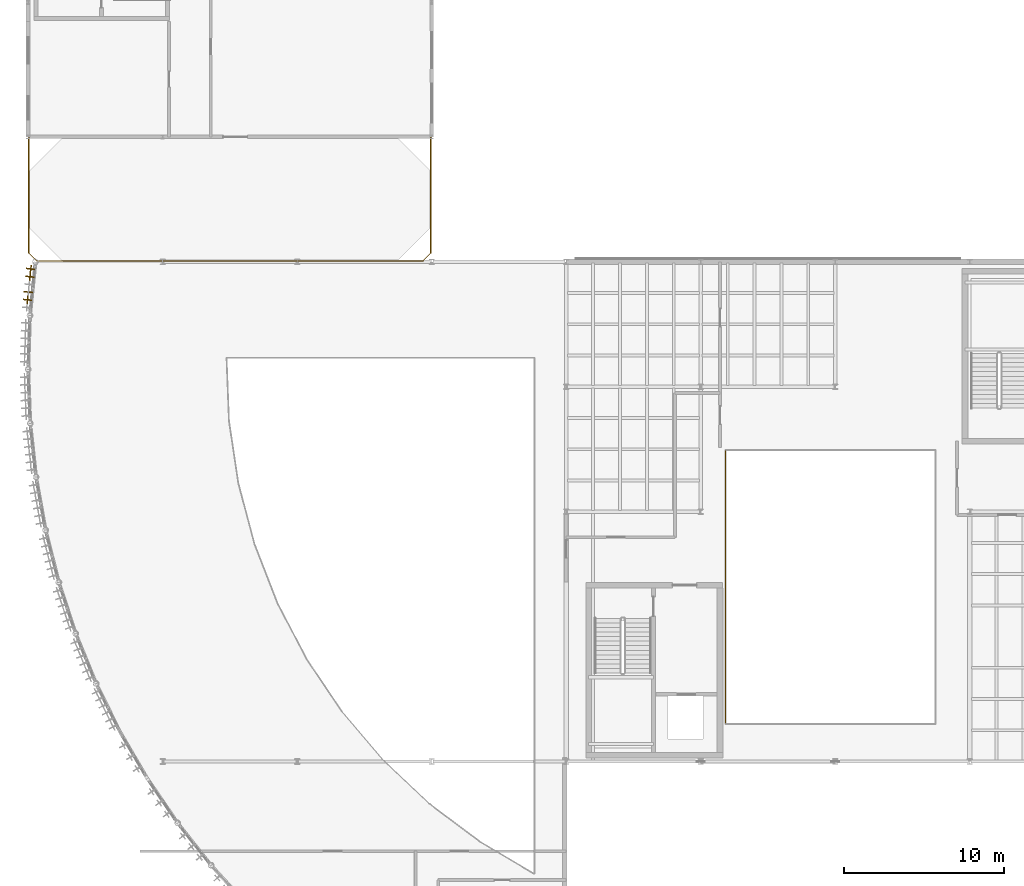
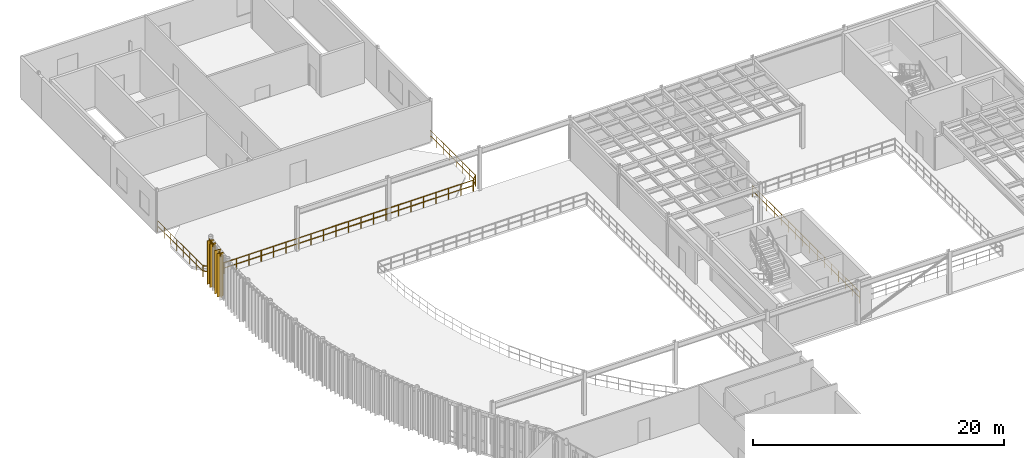
# One storey, part 30 of 32: 6 railings, 4 coverings, 3 shading devices.
"""IFC4 building model written with IfcOpenShell, lengths in metres."""

from ifc_helpers import new_model, si_unit, direction, frame, origin, origin_2d, place, context, subcontext, project, spatial, polyline, rectangle, circle, outline, extrude, material, layer, layer_set, material_profile, profile_set, type_object, element, save


model = new_model("IFC4")

# Units and contexts
model_context = context("Model", 3, precision=1e-05, world=origin(), true_north=direction((0.0, 1.0)))
body_context = subcontext(model_context, "Body", "Model", "MODEL_VIEW")
ifc_project = project(units=[si_unit("LENGTHUNIT", "METRE"), si_unit("AREAUNIT", "SQUARE_METRE"), si_unit("VOLUMEUNIT", "CUBIC_METRE"), si_unit("PLANEANGLEUNIT", "RADIAN"), si_unit("MASSUNIT", "GRAM", prefix="KILO")], contexts=[model_context])

# Site, building, storey
site_placement = place(None, origin())
site = spatial("IfcSite", under=ifc_project, at=site_placement, CompositionType="ELEMENT")
building_placement = place(site_placement, origin())
building = spatial("IfcBuilding", under=site, at=building_placement, Name="Selat Folded Stagehouse", CompositionType="ELEMENT")
storey_placement = place(building_placement, frame((0.0, 0.0, 19.199951171875)))
storey = spatial("IfcBuildingStorey", under=building, at=storey_placement, Name="L04", CompositionType="ELEMENT", Elevation=19.199951171875)

# Coverings
ifc_material_1 = material(Name="Bronze-anodised aluminium 6063-T6", Category="aluminium")
ifc_layer_1 = layer(ifc_material_1, 0.06005859375)
ifc_layer_set_1 = layer_set([ifc_layer_1], Name="Bronze-anodised aluminium 6063-T6")
covering_type = type_object("IfcCoveringType", Name="COV-FIN-BRZ42", PredefinedType="CLADDING", material=ifc_layer_set_1)
covering_1_placement = place(storey_placement, frame((0.0, 0.0, -0.099853515625)))
element("IfcCovering", 1, at=covering_1_placement, inside=storey, type_object=covering_type, Name="L04 drum bronze fin cladding sheath 004", PredefinedType="CLADDING", context=body_context, shape_type="SweptSolid", body=[
    extrude(outline(polyline([(0.430419921875, 54.150390625), (-0.105224609375, 54.21923828125), (-0.11328125, 54.156005859375), (0.42236328125, 54.0869140625), (0.430419921875, 54.150390625)])), origin(), (0.0, 0.0, 1.0), 4.219970703125),
])
covering_2_placement = place(storey_placement, frame((0.0, 0.0, -0.099853515625)))
element("IfcCovering", 2, at=covering_2_placement, inside=storey, type_object=covering_type, Name="L04 drum bronze fin cladding sheath 009", PredefinedType="CLADDING", context=body_context, shape_type="SweptSolid", body=[
    extrude(outline(polyline([(0.380615234375, 53.671875), (-0.155517578125, 53.735595703125), (-0.1630859375, 53.671875), (0.373291015625, 53.6083984375), (0.380615234375, 53.671875)])), origin(), (0.0, 0.0, 1.0), 4.219970703125),
])
covering_3_placement = place(storey_placement, frame((0.0, 0.0, -0.099853515625)))
element("IfcCovering", 3, at=covering_3_placement, inside=storey, type_object=covering_type, Name="L04 drum bronze fin cladding sheath 019", PredefinedType="CLADDING", context=body_context, shape_type="SweptSolid", body=[
    extrude(outline(polyline([(0.28125, 52.71484375), (-0.256103515625, 52.767578125), (-0.26220703125, 52.7041015625), (0.275146484375, 52.651123046875), (0.28125, 52.71484375)])), origin(), (0.0, 0.0, 1.0), 4.219970703125),
])
covering_4_placement = place(storey_placement, frame((0.0, 0.0, -0.099853515625)))
element("IfcCovering", 4, at=covering_4_placement, inside=storey, type_object=covering_type, Name="L04 drum bronze fin cladding sheath 024", PredefinedType="CLADDING", context=body_context, shape_type="SweptSolid", body=[
    extrude(outline(polyline([(0.231689453125, 52.236328125), (-0.306396484375, 52.28369140625), (-0.31201171875, 52.219970703125), (0.22607421875, 52.172607421875), (0.231689453125, 52.236328125)])), origin(), (0.0, 0.0, 1.0), 4.219970703125),
])

# Railings
ifc_material_2 = material(Name="Stainless steel and laminated glass", Category="steel")
ifc_layer_2 = layer(ifc_material_2, 0.06005859375)
ifc_layer_set_2 = layer_set([ifc_layer_2], Name="Stainless steel and laminated glass")
railing_type = type_object("IfcRailingType", Name="RLG-GUARD-1100", PredefinedType="GUARDRAIL", material=ifc_layer_set_2)
railing_1_placement = place(storey_placement, frame((25.14990234375, 62.35009765625, 0.0)))
element("IfcRailing", 5, at=railing_1_placement, inside=storey, type_object=railing_type, Name="L04 protective guard railing 026", PredefinedType="GUARDRAIL", context=body_context, shape_type="SweptSolid", body=[
    extrude(circle(Radius=0.02392578125, at=origin_2d()), frame((0.0, 0.0, 1.076171875), z_axis=(0.0, -1.0, 0.0), x_axis=(1.0, 0.0, 0.0)), (0.0, 0.0, 1.0), 7.2001953125),
    extrude(circle(Radius=0.02392578125, at=origin_2d()), frame((0.0, 0.0, 0.550048828125), z_axis=(0.0, -1.0, 0.0), x_axis=(1.0, 0.0, 0.0)), (0.0, 0.0, 1.0), 7.2001953125),
    extrude(circle(Radius=0.02099609375, at=origin_2d()), origin(), (0.0, 0.0, 1.0), 1.052001953125),
    extrude(circle(Radius=0.02099609375, at=origin_2d()), frame((0.0, -1.028564453125, 0.0)), (0.0, 0.0, 1.0), 1.052001953125),
    extrude(circle(Radius=0.02099609375, at=origin_2d()), frame((0.0, -2.05712890625, 0.0)), (0.0, 0.0, 1.0), 1.052001953125),
    extrude(circle(Radius=0.02099609375, at=origin_2d()), frame((0.0, -3.085693359375, 0.0)), (0.0, 0.0, 1.0), 1.052001953125),
    extrude(circle(Radius=0.02099609375, at=origin_2d()), frame((0.0, -4.114501953125, 0.0)), (0.0, 0.0, 1.0), 1.052001953125),
    extrude(circle(Radius=0.02099609375, at=origin_2d()), frame((0.0, -5.14306640625, 0.0)), (0.0, 0.0, 1.0), 1.052001953125),
    extrude(circle(Radius=0.02099609375, at=origin_2d()), frame((0.0, -6.171630859375, 0.0)), (0.0, 0.0, 1.0), 1.052001953125),
    extrude(circle(Radius=0.02099609375, at=origin_2d()), frame((0.0, -7.2001953125, 0.0)), (0.0, 0.0, 1.0), 1.052001953125),
])
railing_2_placement = place(storey_placement, frame((25.14990234375, 55.14990234375, 0.0)))
element("IfcRailing", 6, at=railing_2_placement, inside=storey, type_object=railing_type, Name="L04 protective guard railing 027", PredefinedType="GUARDRAIL", context=body_context, shape_type="SweptSolid", body=[
    extrude(circle(Radius=0.02392578125, at=origin_2d()), frame((0.0, 0.0, 1.076171875), z_axis=(-0.707106781187, -0.707106781187, 0.0), x_axis=(0.707106781187, -0.707106781187, 0.0)), (0.0, 0.0, 1.0), 0.70703125),
    extrude(circle(Radius=0.02392578125, at=origin_2d()), frame((0.0, 0.0, 0.550048828125), z_axis=(-0.707106781187, -0.707106781187, 0.0), x_axis=(0.707106781187, -0.707106781187, 0.0)), (0.0, 0.0, 1.0), 0.70703125),
    extrude(circle(Radius=0.02099609375, at=origin_2d()), origin(), (0.0, 0.0, 1.0), 1.052001953125),
    extrude(circle(Radius=0.02099609375, at=origin_2d()), frame((-0.5, -0.5, 0.0)), (0.0, 0.0, 1.0), 1.052001953125),
])
railing_3_placement = place(storey_placement, frame((24.64990234375, 54.64990234375, 0.0)))
element("IfcRailing", 7, at=railing_3_placement, inside=storey, type_object=railing_type, Name="L04 protective guard railing 028", PredefinedType="GUARDRAIL", context=body_context, shape_type="SweptSolid", body=[
    extrude(circle(Radius=0.02392578125, at=origin_2d()), frame((0.0, 0.0, 1.076171875), z_axis=(-1.0, 0.0, 0.0), x_axis=(0.0, -1.0, 0.0)), (0.0, 0.0, 1.0), 24.099853515625),
    extrude(circle(Radius=0.02392578125, at=origin_2d()), frame((0.0, 0.0, 0.550048828125), z_axis=(-1.0, 0.0, 0.0), x_axis=(0.0, -1.0, 0.0)), (0.0, 0.0, 1.0), 24.099853515625),
    extrude(circle(Radius=0.02099609375, at=origin_2d()), origin(), (0.0, 0.0, 1.0), 1.052001953125),
    extrude(circle(Radius=0.02099609375, at=origin_2d()), frame((-1.147705078125, 0.0, 0.0)), (0.0, 0.0, 1.0), 1.052001953125),
    extrude(circle(Radius=0.02099609375, at=origin_2d()), frame((-2.295166015625, 0.0, 0.0)), (0.0, 0.0, 1.0), 1.052001953125),
    extrude(circle(Radius=0.02099609375, at=origin_2d()), frame((-3.44287109375, 0.0, 0.0)), (0.0, 0.0, 1.0), 1.052001953125),
    extrude(circle(Radius=0.02099609375, at=origin_2d()), frame((-4.59033203125, 0.0, 0.0)), (0.0, 0.0, 1.0), 1.052001953125),
    extrude(circle(Radius=0.02099609375, at=origin_2d()), frame((-5.738037109375, 0.0, 0.0)), (0.0, 0.0, 1.0), 1.052001953125),
    extrude(circle(Radius=0.02099609375, at=origin_2d()), frame((-6.8857421875, 0.0, 0.0)), (0.0, 0.0, 1.0), 1.052001953125),
    extrude(circle(Radius=0.02099609375, at=origin_2d()), frame((-8.033203125, 0.0, 0.0)), (0.0, 0.0, 1.0), 1.052001953125),
    extrude(circle(Radius=0.02099609375, at=origin_2d()), frame((-9.180908203125, 0.0, 0.0)), (0.0, 0.0, 1.0), 1.052001953125),
    extrude(circle(Radius=0.02099609375, at=origin_2d()), frame((-10.32861328125, 0.0, 0.0)), (0.0, 0.0, 1.0), 1.052001953125),
    extrude(circle(Radius=0.02099609375, at=origin_2d()), frame((-11.47607421875, 0.0, 0.0)), (0.0, 0.0, 1.0), 1.052001953125),
    extrude(circle(Radius=0.02099609375, at=origin_2d()), frame((-12.623779296875, 0.0, 0.0)), (0.0, 0.0, 1.0), 1.052001953125),
    extrude(circle(Radius=0.02099609375, at=origin_2d()), frame((-13.771240234375, 0.0, 0.0)), (0.0, 0.0, 1.0), 1.052001953125),
    extrude(circle(Radius=0.02099609375, at=origin_2d()), frame((-14.9189453125, 0.0, 0.0)), (0.0, 0.0, 1.0), 1.052001953125),
    extrude(circle(Radius=0.02099609375, at=origin_2d()), frame((-16.066650390625, 0.0, 0.0)), (0.0, 0.0, 1.0), 1.052001953125),
    extrude(circle(Radius=0.02099609375, at=origin_2d()), frame((-17.214111328125, 0.0, 0.0)), (0.0, 0.0, 1.0), 1.052001953125),
    extrude(circle(Radius=0.02099609375, at=origin_2d()), frame((-18.36181640625, 0.0, 0.0)), (0.0, 0.0, 1.0), 1.052001953125),
    extrude(circle(Radius=0.02099609375, at=origin_2d()), frame((-19.509521484375, 0.0, 0.0)), (0.0, 0.0, 1.0), 1.052001953125),
    extrude(circle(Radius=0.02099609375, at=origin_2d()), frame((-20.656982421875, 0.0, 0.0)), (0.0, 0.0, 1.0), 1.052001953125),
    extrude(circle(Radius=0.02099609375, at=origin_2d()), frame((-21.8046875, 0.0, 0.0)), (0.0, 0.0, 1.0), 1.052001953125),
    extrude(circle(Radius=0.02099609375, at=origin_2d()), frame((-22.9521484375, 0.0, 0.0)), (0.0, 0.0, 1.0), 1.052001953125),
    extrude(circle(Radius=0.02099609375, at=origin_2d()), frame((-24.099853515625, 0.0, 0.0)), (0.0, 0.0, 1.0), 1.052001953125),
])
railing_4_placement = place(storey_placement, frame((0.550048828125, 54.64990234375, 0.0)))
element("IfcRailing", 8, at=railing_4_placement, inside=storey, type_object=railing_type, Name="L04 protective guard railing 029", PredefinedType="GUARDRAIL", context=body_context, shape_type="SweptSolid", body=[
    extrude(circle(Radius=0.02392578125, at=origin_2d()), frame((0.0, 0.0, 1.076171875), z_axis=(-0.707106781187, 0.707106781187, 0.0), x_axis=(-0.707106781187, -0.707106781187, 0.0)), (0.0, 0.0, 1.0), 0.70703125),
    extrude(circle(Radius=0.02392578125, at=origin_2d()), frame((0.0, 0.0, 0.550048828125), z_axis=(-0.707106781187, 0.707106781187, 0.0), x_axis=(-0.707106781187, -0.707106781187, 0.0)), (0.0, 0.0, 1.0), 0.70703125),
    extrude(circle(Radius=0.02099609375, at=origin_2d()), origin(), (0.0, 0.0, 1.0), 1.052001953125),
    extrude(circle(Radius=0.02099609375, at=origin_2d()), frame((-0.5, 0.5, 0.0)), (0.0, 0.0, 1.0), 1.052001953125),
])
railing_5_placement = place(storey_placement, frame((0.050048828125, 55.14990234375, 0.0)))
element("IfcRailing", 9, at=railing_5_placement, inside=storey, type_object=railing_type, Name="L04 protective guard railing 030", PredefinedType="GUARDRAIL", context=body_context, shape_type="SweptSolid", body=[
    extrude(circle(Radius=0.02392578125, at=origin_2d()), frame((0.0, 0.0, 1.076171875), z_axis=(0.0, 1.0, 0.0), x_axis=(-1.0, 0.0, 0.0)), (0.0, 0.0, 1.0), 7.2001953125),
    extrude(circle(Radius=0.02392578125, at=origin_2d()), frame((0.0, 0.0, 0.550048828125), z_axis=(0.0, 1.0, 0.0), x_axis=(-1.0, 0.0, 0.0)), (0.0, 0.0, 1.0), 7.2001953125),
    extrude(circle(Radius=0.02099609375, at=origin_2d()), origin(), (0.0, 0.0, 1.0), 1.052001953125),
    extrude(circle(Radius=0.02099609375, at=origin_2d()), frame((0.0, 1.028564453125, 0.0)), (0.0, 0.0, 1.0), 1.052001953125),
    extrude(circle(Radius=0.02099609375, at=origin_2d()), frame((0.0, 2.05712890625, 0.0)), (0.0, 0.0, 1.0), 1.052001953125),
    extrude(circle(Radius=0.02099609375, at=origin_2d()), frame((0.0, 3.085693359375, 0.0)), (0.0, 0.0, 1.0), 1.052001953125),
    extrude(circle(Radius=0.02099609375, at=origin_2d()), frame((0.0, 4.114501953125, 0.0)), (0.0, 0.0, 1.0), 1.052001953125),
    extrude(circle(Radius=0.02099609375, at=origin_2d()), frame((0.0, 5.14306640625, 0.0)), (0.0, 0.0, 1.0), 1.052001953125),
    extrude(circle(Radius=0.02099609375, at=origin_2d()), frame((0.0, 6.171630859375, 0.0)), (0.0, 0.0, 1.0), 1.052001953125),
    extrude(circle(Radius=0.02099609375, at=origin_2d()), frame((0.0, 7.2001953125, 0.0)), (0.0, 0.0, 1.0), 1.052001953125),
])
railing_6_placement = place(storey_placement, frame((43.550048828125, 42.85009765625, 0.0)))
element("IfcRailing", 10, at=railing_6_placement, inside=storey, type_object=railing_type, Name="L04 protective guard railing 069", PredefinedType="GUARDRAIL", context=body_context, shape_type="SweptSolid", body=[
    extrude(circle(Radius=0.02392578125, at=origin_2d()), frame((0.0, 0.0, 1.076171875), z_axis=(0.0, -1.0, 0.0), x_axis=(1.0, 0.0, 0.0)), (0.0, 0.0, 1.0), 17.10009765625),
    extrude(circle(Radius=0.02392578125, at=origin_2d()), frame((0.0, 0.0, 0.550048828125), z_axis=(0.0, -1.0, 0.0), x_axis=(1.0, 0.0, 0.0)), (0.0, 0.0, 1.0), 17.10009765625),
    extrude(circle(Radius=0.02099609375, at=origin_2d()), origin(), (0.0, 0.0, 1.0), 1.052001953125),
    extrude(circle(Radius=0.02099609375, at=origin_2d()), frame((0.0, -1.139892578125, 0.0)), (0.0, 0.0, 1.0), 1.052001953125),
    extrude(circle(Radius=0.02099609375, at=origin_2d()), frame((0.0, -2.280029296875, 0.0)), (0.0, 0.0, 1.0), 1.052001953125),
    extrude(circle(Radius=0.02099609375, at=origin_2d()), frame((0.0, -3.419921875, 0.0)), (0.0, 0.0, 1.0), 1.052001953125),
    extrude(circle(Radius=0.02099609375, at=origin_2d()), frame((0.0, -4.56005859375, 0.0)), (0.0, 0.0, 1.0), 1.052001953125),
    extrude(circle(Radius=0.02099609375, at=origin_2d()), frame((0.0, -5.699951171875, 0.0)), (0.0, 0.0, 1.0), 1.052001953125),
    extrude(circle(Radius=0.02099609375, at=origin_2d()), frame((0.0, -6.840087890625, 0.0)), (0.0, 0.0, 1.0), 1.052001953125),
    extrude(circle(Radius=0.02099609375, at=origin_2d()), frame((0.0, -7.97998046875, 0.0)), (0.0, 0.0, 1.0), 1.052001953125),
    extrude(circle(Radius=0.02099609375, at=origin_2d()), frame((0.0, -9.1201171875, 0.0)), (0.0, 0.0, 1.0), 1.052001953125),
    extrude(circle(Radius=0.02099609375, at=origin_2d()), frame((0.0, -10.260009765625, 0.0)), (0.0, 0.0, 1.0), 1.052001953125),
    extrude(circle(Radius=0.02099609375, at=origin_2d()), frame((0.0, -11.400146484375, 0.0)), (0.0, 0.0, 1.0), 1.052001953125),
    extrude(circle(Radius=0.02099609375, at=origin_2d()), frame((0.0, -12.5400390625, 0.0)), (0.0, 0.0, 1.0), 1.052001953125),
    extrude(circle(Radius=0.02099609375, at=origin_2d()), frame((0.0, -13.68017578125, 0.0)), (0.0, 0.0, 1.0), 1.052001953125),
    extrude(circle(Radius=0.02099609375, at=origin_2d()), frame((0.0, -14.820068359375, 0.0)), (0.0, 0.0, 1.0), 1.052001953125),
    extrude(circle(Radius=0.02099609375, at=origin_2d()), frame((0.0, -15.960205078125, 0.0)), (0.0, 0.0, 1.0), 1.052001953125),
    extrude(circle(Radius=0.02099609375, at=origin_2d()), frame((0.0, -17.10009765625, 0.0)), (0.0, 0.0, 1.0), 1.052001953125),
])

# Shading devices
ifc_material_profile = material_profile(ifc_material_1, rectangle(XDim=0.06005859375, YDim=0.47998046875, at=origin_2d()), Name="SOLAR-FIN 480x60")
ifc_profile_set = profile_set([ifc_material_profile], Name="Bronze-anodised aluminium 6063-T6")
shading_device_type = type_object("IfcShadingDeviceType", Name="SHD-FIN-480x60", PredefinedType="USERDEFINED", material=ifc_profile_set)
for number, where, z_axis, x_axis, name in (
    (11, (0.16845703125, 54.15185546875, -0.099853515625), (0.0, 0.0, 1.0), (-0.991827775753, 0.127583945876, 0.0), "L04 drum vertical bronze solar fin 004"),
    (12, (0.118896484375, 53.670654296875, -0.099853515625), (0.0, 0.0, 1.0), (-0.993068456955, 0.117537397458, 0.0), "L04 drum vertical bronze solar fin 009"),
    (13, (-0.0302734375, 52.227294921875, -0.099853515625), (0.0, 0.0, 1.0), (-0.996148926897, 0.087677337101, 0.0), "L04 drum vertical bronze solar fin 024"),
):
    element("IfcShadingDevice", number, at=place(storey_placement, frame(where, z_axis=z_axis, x_axis=x_axis)), inside=storey, type_object=shading_device_type, Name=name, ObjectType="FIN", PredefinedType="USERDEFINED", context=body_context, shape_type="SweptSolid", body=[
        extrude(rectangle(XDim=0.06005859375, YDim=0.47998046875, at=origin_2d()), origin(), (0.0, 0.0, 1.0), 4.219970703125),
    ])

save(model, "model.ifc")
